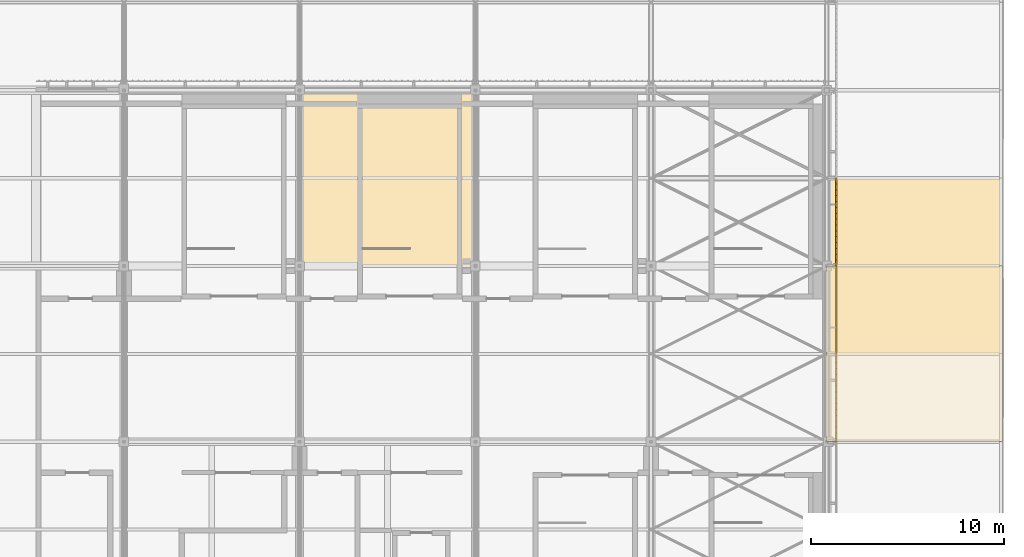
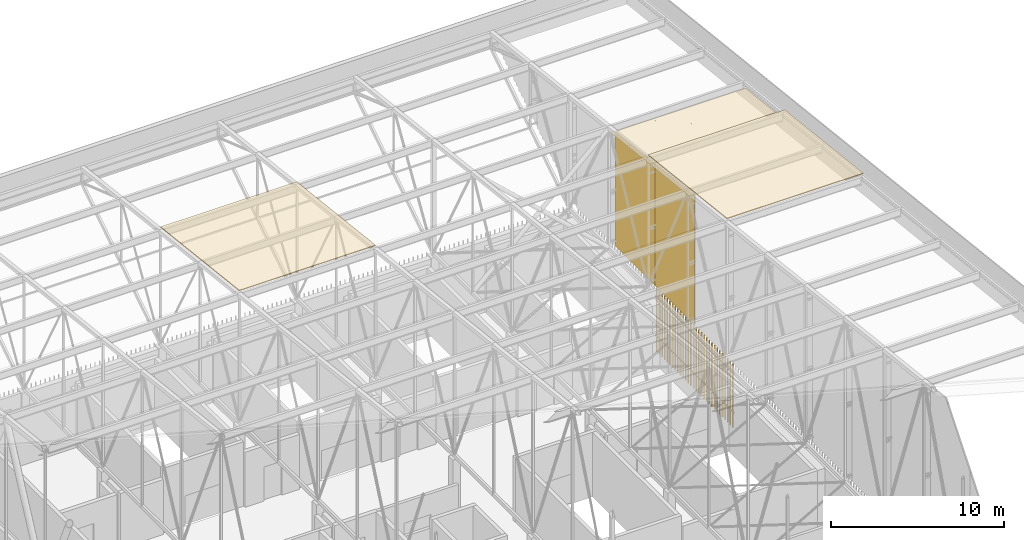
# One storey, part 496 of 500: 4 coverings, 3 shading devices.
"""IFC4 building model written with IfcOpenShell, lengths in metres."""

from ifc_helpers import new_model, si_unit, direction, frame, origin, origin_2d, place, context, subcontext, project, spatial, polyline, rectangle, outline, extrude, material, layer, layer_set, type_object, element, save


model = new_model("IFC4")

# Units and contexts
model_context = context("Model", 3, precision=1e-05, world=origin(), true_north=direction((0.0, 1.0)))
body_context = subcontext(model_context, "Body", "Model", "MODEL_VIEW")
ifc_project = project(units=[si_unit("LENGTHUNIT", "METRE"), si_unit("AREAUNIT", "SQUARE_METRE"), si_unit("VOLUMEUNIT", "CUBIC_METRE"), si_unit("PLANEANGLEUNIT", "RADIAN"), si_unit("MASSUNIT", "GRAM", prefix="KILO")], contexts=[model_context])

# Site, building, storey
site_placement = place(None, origin())
site = spatial("IfcSite", under=ifc_project, at=site_placement, CompositionType="ELEMENT")
building_placement = place(site_placement, origin())
building = spatial("IfcBuilding", under=site, at=building_placement, Name="Shirokan Park Arena", CompositionType="ELEMENT")
storey_placement = place(building_placement, frame((0.0, 0.0, 29.1201171875)))
storey = spatial("IfcBuildingStorey", under=building, at=storey_placement, Name="L06", CompositionType="ELEMENT", Elevation=29.1201171875)

# Coverings
ifc_material_1 = material(Name="Bituminous roofing membrane")
ifc_layer_1 = layer(ifc_material_1, 0.010009765625, Name="Bituminous roofing membrane")
ifc_material_2 = material(Name="Mineral wool insulation")
ifc_layer_2 = layer(ifc_material_2, 0.050048828125, Name="Mineral wool insulation")
ifc_layer_set_1 = layer_set([ifc_layer_1, ifc_layer_2], Name="Bituminous roofing membrane + Mineral wool insulation")
covering_type_1 = type_object("IfcCoveringType", Name="Roofing membrane 60", PredefinedType="ROOFING", material=ifc_layer_set_1)
covering_1_placement = place(storey_placement, frame((118.300048828125, 100.10009765625, 13.970703125), z_axis=(0.0, 0.113552605302, 0.993531985308), x_axis=(1.0, 0.0, 0.0)))
element("IfcCovering", 1, at=covering_1_placement, inside=storey, type_object=covering_type_1, Name="Roofing", PredefinedType="ROOFING", context=body_context, shape_type="SweptSolid", body=[
    extrude(outline(polyline([(0.0, 0.0), (9.099853515625, 0.0), (9.099853515625, 9.159094674549365), (0.0, 9.159094674549365), (0.0, 0.0)])), origin(), (0.0, 0.0, -1.0), 0.06005859375),
])
covering_2_placement = place(storey_placement, frame((145.60009765625, 91.0, 15.0107421875), z_axis=(0.0, 0.113549598152, 0.993532328996), x_axis=(1.0, 0.0, 0.0)))
element("IfcCovering", 2, at=covering_2_placement, inside=storey, type_object=covering_type_1, Name="Roofing", PredefinedType="ROOFING", context=body_context, shape_type="SweptSolid", body=[
    extrude(outline(polyline([(0.0, 0.0), (9.099853515625, 0.0), (9.099853515625, 9.15933723611117), (0.0, 9.15933723611117), (0.0, 0.0)])), origin(), (0.0, 0.0, -1.0), 0.06005859375),
])
ifc_material_3 = material(Name="Timber soffit boards (cedar)", Category="wood")
ifc_layer_3 = layer(ifc_material_3, 0.030029296875)
ifc_layer_set_2 = layer_set([ifc_layer_3], Name="Timber soffit boards (cedar) 30 mm")
covering_type_2 = type_object("IfcCoveringType", Name="Timber boarded soffit panel", PredefinedType="CLADDING", material=ifc_layer_set_2)
covering_3_placement = place(storey_placement, origin())
element("IfcCovering", 3, at=covering_3_placement, inside=storey, type_object=covering_type_2, Name="Rake soffit east bay 24", PredefinedType="CLADDING", context=body_context, shape_type="SweptSolid", body=[
    extrude(outline(polyline([(0.0, 0.0), (0.12000000000000455, 0.0), (0.12000000000000455, -4.579617887990218), (0.0, -4.579617887990218), (0.0, 0.0)])), frame((145.846923828125, 95.550048828125, 13.781982421875), z_axis=(0.0, 0.113546591161, 0.993532672656), x_axis=(-1.0, 0.0, 0.0)), (0.0, 0.0, -1.0), 0.030029296875),
    extrude(outline(polyline([(0.0, 0.0), (0.11999999999997613, 0.0), (0.11999999999997613, -4.579617887990217), (0.0, -4.579617887990217), (0.0, 0.0)])), frame((154.580078125, 100.10009765625, 13.261962890625), z_axis=(0.0, 0.113546591161, 0.993532672656), x_axis=(1.0, 0.0, 0.0)), (0.0, 0.0, -1.0), 0.030029296875),
    extrude(outline(polyline([(0.0, 0.0), (0.12078064455862857, 0.0), (0.12078064455862857, -8.733000000000006), (0.0, -8.733000000000006), (0.0, 0.0)])), frame((154.580078125, 100.10009765625, 13.261962890625), z_axis=(0.0, 0.11351156512, 0.993536675007), x_axis=(0.0, -0.993536675007, 0.11351156512)), (0.0, 0.0, -1.0), 0.030029296875),
    extrude(outline(polyline([(0.0, 0.0), (0.12078064455864268, 0.0), (0.12078064455864268, -8.733000000000006), (0.0, -8.733000000000006), (0.0, 0.0)])), frame((145.846923828125, 95.550048828125, 13.781982421875), z_axis=(0.0, 0.11351156512, 0.993536675007), x_axis=(0.0, 0.993536675007, -0.11351156512)), (0.0, 0.0, -1.0), 0.030029296875),
    extrude(outline(polyline([(0.0, 0.0), (8.733000000000004, 0.0), (8.733000000000004, -0.18452428160000803), (0.0, -0.18452428160000803), (0.0, 0.0)])), frame((154.580078125, 95.669921875, 13.76806640625), z_axis=(0.0, 0.113589386818, 0.99352778079), x_axis=(-1.0, 0.0, 0.0)), (0.0, 0.0, -1.0), 0.030029296875),
    extrude(outline(polyline([(0.0, 0.0), (8.733000000000004, 0.0), (8.733000000000004, -0.3053137258624375), (0.0, -0.3053137258624375), (0.0, 0.0)])), frame((154.580078125, 95.853271484375, 13.747314453125), z_axis=(0.0, 0.113522573877, 0.993535417195), x_axis=(-1.0, 0.0, 0.0)), (0.0, 0.0, -1.0), 0.030029296875),
    extrude(outline(polyline([(0.0, 0.0), (8.733000000000004, 0.0), (8.733000000000004, -0.30530492593470027), (0.0, -0.30530492593470027), (0.0, 0.0)])), frame((154.580078125, 96.15673828125, 13.712646484375), z_axis=(0.0, 0.113558600124, 0.99353130013), x_axis=(-1.0, 0.0, 0.0)), (0.0, 0.0, -1.0), 0.030029296875),
    extrude(outline(polyline([(0.0, 0.0), (8.733000000000004, 0.0), (8.733000000000004, -0.30530492593471437), (0.0, -0.30530492593471437), (0.0, 0.0)])), frame((154.580078125, 96.4599609375, 13.677978515625), z_axis=(0.0, 0.113558600124, 0.99353130013), x_axis=(-1.0, 0.0, 0.0)), (0.0, 0.0, -1.0), 0.030029296875),
    extrude(outline(polyline([(0.0, 0.0), (8.733000000000004, 0.0), (8.733000000000004, -0.3053137258624375), (0.0, -0.3053137258624375), (0.0, 0.0)])), frame((154.580078125, 96.763427734375, 13.643310546875), z_axis=(0.0, 0.113522573877, 0.993535417195), x_axis=(-1.0, 0.0, 0.0)), (0.0, 0.0, -1.0), 0.030029296875),
    extrude(outline(polyline([(0.0, 0.0), (8.733000000000004, 0.0), (8.733000000000004, -0.30530492593471437), (0.0, -0.30530492593471437), (0.0, 0.0)])), frame((154.580078125, 97.066650390625, 13.608642578125), z_axis=(0.0, 0.113558600124, 0.99353130013), x_axis=(-1.0, 0.0, 0.0)), (0.0, 0.0, -1.0), 0.030029296875),
    extrude(outline(polyline([(0.0, 0.0), (8.733000000000004, 0.0), (8.733000000000004, -0.30530492593471514), (0.0, -0.30530492593471514), (0.0, 0.0)])), frame((154.580078125, 97.3701171875, 13.573974609375), z_axis=(0.0, 0.113558600124, 0.99353130013), x_axis=(-1.0, 0.0, 0.0)), (0.0, 0.0, -1.0), 0.030029296875),
    extrude(outline(polyline([(0.0, 0.0), (8.733000000000004, 0.0), (8.733000000000004, -0.30531372586242256), (0.0, -0.30531372586242256), (0.0, 0.0)])), frame((154.580078125, 97.67333984375, 13.539306640625), z_axis=(0.0, 0.113522573877, 0.993535417195), x_axis=(-1.0, 0.0, 0.0)), (0.0, 0.0, -1.0), 0.030029296875),
    extrude(outline(polyline([(0.0, 0.0), (8.733000000000004, 0.0), (8.733000000000004, -0.30530492593471437), (0.0, -0.30530492593471437), (0.0, 0.0)])), frame((154.580078125, 97.9765625, 13.504638671875), z_axis=(0.0, 0.113558600124, 0.99353130013), x_axis=(-1.0, 0.0, 0.0)), (0.0, 0.0, -1.0), 0.030029296875),
    extrude(outline(polyline([(0.0, 0.0), (8.733000000000004, 0.0), (8.733000000000004, -0.3053049259347152), (0.0, -0.3053049259347152), (0.0, 0.0)])), frame((154.580078125, 98.280029296875, 13.469970703125), z_axis=(0.0, 0.113558600124, 0.99353130013), x_axis=(-1.0, 0.0, 0.0)), (0.0, 0.0, -1.0), 0.030029296875),
    extrude(outline(polyline([(0.0, 0.0), (8.733000000000004, 0.0), (8.733000000000004, -0.30531372586242256), (0.0, -0.30531372586242256), (0.0, 0.0)])), frame((154.580078125, 98.583251953125, 13.435302734375), z_axis=(0.0, 0.113522573877, 0.993535417195), x_axis=(-1.0, 0.0, 0.0)), (0.0, 0.0, -1.0), 0.030029296875),
    extrude(outline(polyline([(0.0, 0.0), (8.733000000000004, 0.0), (8.733000000000004, -0.30530492593471514), (0.0, -0.30530492593471514), (0.0, 0.0)])), frame((154.580078125, 98.88671875, 13.400634765625), z_axis=(0.0, 0.113558600124, 0.99353130013), x_axis=(-1.0, 0.0, 0.0)), (0.0, 0.0, -1.0), 0.030029296875),
    extrude(outline(polyline([(0.0, 0.0), (8.733000000000004, 0.0), (8.733000000000004, -0.30530492593471437), (0.0, -0.30530492593471437), (0.0, 0.0)])), frame((154.580078125, 99.18994140625, 13.365966796875), z_axis=(0.0, 0.113558600124, 0.99353130013), x_axis=(-1.0, 0.0, 0.0)), (0.0, 0.0, -1.0), 0.030029296875),
    extrude(outline(polyline([(0.0, 0.0), (8.733000000000004, 0.0), (8.733000000000004, -0.30531372586243666), (0.0, -0.30531372586243666), (0.0, 0.0)])), frame((154.580078125, 99.493408203125, 13.331298828125), z_axis=(0.0, 0.113522573877, 0.993535417195), x_axis=(-1.0, 0.0, 0.0)), (0.0, 0.0, -1.0), 0.030029296875),
    extrude(outline(polyline([(0.0, 0.0), (0.18452428160000886, 0.0), (0.18452428160000886, -8.733000000000004), (0.0, -8.733000000000004), (0.0, 0.0)])), frame((154.580078125, 99.97998046875, 13.275634765625), z_axis=(0.0, 0.113589386818, 0.99352778079), x_axis=(0.0, -0.99352778079, 0.113589386818)), (0.0, 0.0, -1.0), 0.030029296875),
])
covering_4_placement = place(storey_placement, origin())
element("IfcCovering", 4, at=covering_4_placement, inside=storey, type_object=covering_type_2, Name="Rake soffit east bay 25", PredefinedType="CLADDING", context=body_context, shape_type="SweptSolid", body=[
    extrude(outline(polyline([(0.0, 0.0), (0.12000000000000455, 0.0), (0.12000000000000455, -4.579617887990231), (0.0, -4.579617887990231), (0.0, 0.0)])), frame((145.846923828125, 100.10009765625, 13.261962890625), z_axis=(0.0, 0.113546591161, 0.993532672656), x_axis=(-1.0, 0.0, 0.0)), (0.0, 0.0, -1.0), 0.030029296875),
    extrude(outline(polyline([(0.0, 0.0), (0.11999999999997613, 0.0), (0.11999999999997613, -4.5796178879902305), (0.0, -4.5796178879902305), (0.0, 0.0)])), frame((154.580078125, 104.64990234375, 12.741943359375), z_axis=(0.0, 0.113546591161, 0.993532672656), x_axis=(1.0, 0.0, 0.0)), (0.0, 0.0, -1.0), 0.030029296875),
    extrude(outline(polyline([(0.0, 0.0), (0.12078064455864188, 0.0), (0.12078064455864188, -8.733000000000004), (0.0, -8.733000000000004), (0.0, 0.0)])), frame((154.580078125, 104.64990234375, 12.741943359375), z_axis=(0.0, 0.11351156512, 0.993536675007), x_axis=(0.0, -0.993536675007, 0.11351156512)), (0.0, 0.0, -1.0), 0.030029296875),
    extrude(outline(polyline([(0.0, 0.0), (0.12078064455864188, 0.0), (0.12078064455864188, -8.733000000000004), (0.0, -8.733000000000004), (0.0, 0.0)])), frame((145.846923828125, 100.10009765625, 13.261962890625), z_axis=(0.0, 0.11351156512, 0.993536675007), x_axis=(0.0, 0.993536675007, -0.11351156512)), (0.0, 0.0, -1.0), 0.030029296875),
    extrude(outline(polyline([(0.0, 0.0), (8.733000000000004, 0.0), (8.733000000000004, -0.18452428160000886), (0.0, -0.18452428160000886), (0.0, 0.0)])), frame((154.580078125, 100.219970703125, 13.248291015625), z_axis=(0.0, 0.113589386818, 0.99352778079), x_axis=(-1.0, 0.0, 0.0)), (0.0, 0.0, -1.0), 0.030029296875),
    extrude(outline(polyline([(0.0, 0.0), (8.733000000000004, 0.0), (8.733000000000004, -0.3053137258624375), (0.0, -0.3053137258624375), (0.0, 0.0)])), frame((154.580078125, 100.4033203125, 13.227294921875), z_axis=(0.0, 0.113522573877, 0.993535417195), x_axis=(-1.0, 0.0, 0.0)), (0.0, 0.0, -1.0), 0.030029296875),
    extrude(outline(polyline([(0.0, 0.0), (8.733000000000004, 0.0), (8.733000000000004, -0.30530492593471437), (0.0, -0.30530492593471437), (0.0, 0.0)])), frame((154.580078125, 100.706787109375, 13.192626953125), z_axis=(0.0, 0.113558600124, 0.99353130013), x_axis=(-1.0, 0.0, 0.0)), (0.0, 0.0, -1.0), 0.030029296875),
    extrude(outline(polyline([(0.0, 0.0), (8.733000000000004, 0.0), (8.733000000000004, -0.3053049259347002), (0.0, -0.3053049259347002), (0.0, 0.0)])), frame((154.580078125, 101.010009765625, 13.157958984375), z_axis=(0.0, 0.113558600124, 0.99353130013), x_axis=(-1.0, 0.0, 0.0)), (0.0, 0.0, -1.0), 0.030029296875),
    extrude(outline(polyline([(0.0, 0.0), (8.733000000000004, 0.0), (8.733000000000004, -0.3053137258624375), (0.0, -0.3053137258624375), (0.0, 0.0)])), frame((154.580078125, 101.313232421875, 13.123291015625), z_axis=(0.0, 0.113522573877, 0.993535417195), x_axis=(-1.0, 0.0, 0.0)), (0.0, 0.0, -1.0), 0.030029296875),
    extrude(outline(polyline([(0.0, 0.0), (8.733000000000004, 0.0), (8.733000000000004, -0.30530492593471437), (0.0, -0.30530492593471437), (0.0, 0.0)])), frame((154.580078125, 101.61669921875, 13.088623046875), z_axis=(0.0, 0.113558600124, 0.99353130013), x_axis=(-1.0, 0.0, 0.0)), (0.0, 0.0, -1.0), 0.030029296875),
    extrude(outline(polyline([(0.0, 0.0), (8.733000000000004, 0.0), (8.733000000000004, -0.30530492593471437), (0.0, -0.30530492593471437), (0.0, 0.0)])), frame((154.580078125, 101.919921875, 13.053955078125), z_axis=(0.0, 0.113558600124, 0.99353130013), x_axis=(-1.0, 0.0, 0.0)), (0.0, 0.0, -1.0), 0.030029296875),
    extrude(outline(polyline([(0.0, 0.0), (8.733000000000004, 0.0), (8.733000000000004, -0.3053137258624234), (0.0, -0.3053137258624234), (0.0, 0.0)])), frame((154.580078125, 102.223388671875, 13.019287109375), z_axis=(0.0, 0.113522573877, 0.993535417195), x_axis=(-1.0, 0.0, 0.0)), (0.0, 0.0, -1.0), 0.030029296875),
    extrude(outline(polyline([(0.0, 0.0), (8.733000000000004, 0.0), (8.733000000000004, -0.30530492593471437), (0.0, -0.30530492593471437), (0.0, 0.0)])), frame((154.580078125, 102.526611328125, 12.984619140625), z_axis=(0.0, 0.113558600124, 0.99353130013), x_axis=(-1.0, 0.0, 0.0)), (0.0, 0.0, -1.0), 0.030029296875),
    extrude(outline(polyline([(0.0, 0.0), (8.733000000000004, 0.0), (8.733000000000004, -0.30530492593471437), (0.0, -0.30530492593471437), (0.0, 0.0)])), frame((154.580078125, 102.830078125, 12.949951171875), z_axis=(0.0, 0.113558600124, 0.99353130013), x_axis=(-1.0, 0.0, 0.0)), (0.0, 0.0, -1.0), 0.030029296875),
    extrude(outline(polyline([(0.0, 0.0), (8.733000000000004, 0.0), (8.733000000000004, -0.3053137258624375), (0.0, -0.3053137258624375), (0.0, 0.0)])), frame((154.580078125, 103.13330078125, 12.915283203125), z_axis=(0.0, 0.113522573877, 0.993535417195), x_axis=(-1.0, 0.0, 0.0)), (0.0, 0.0, -1.0), 0.030029296875),
    extrude(outline(polyline([(0.0, 0.0), (8.733000000000004, 0.0), (8.733000000000004, -0.3053049259347002), (0.0, -0.3053049259347002), (0.0, 0.0)])), frame((154.580078125, 103.436767578125, 12.880615234375), z_axis=(0.0, 0.113558600124, 0.99353130013), x_axis=(-1.0, 0.0, 0.0)), (0.0, 0.0, -1.0), 0.030029296875),
    extrude(outline(polyline([(0.0, 0.0), (8.733000000000004, 0.0), (8.733000000000004, -0.30530492593471437), (0.0, -0.30530492593471437), (0.0, 0.0)])), frame((154.580078125, 103.739990234375, 12.845947265625), z_axis=(0.0, 0.113558600124, 0.99353130013), x_axis=(-1.0, 0.0, 0.0)), (0.0, 0.0, -1.0), 0.030029296875),
    extrude(outline(polyline([(0.0, 0.0), (8.733000000000004, 0.0), (8.733000000000004, -0.3053137258624375), (0.0, -0.3053137258624375), (0.0, 0.0)])), frame((154.580078125, 104.043212890625, 12.811279296875), z_axis=(0.0, 0.113522573877, 0.993535417195), x_axis=(-1.0, 0.0, 0.0)), (0.0, 0.0, -1.0), 0.030029296875),
    extrude(outline(polyline([(0.0, 0.0), (0.18452428160000886, 0.0), (0.18452428160000886, -8.733000000000004), (0.0, -8.733000000000004), (0.0, 0.0)])), frame((154.580078125, 104.530029296875, 12.755615234375), z_axis=(0.0, 0.113589386818, 0.99352778079), x_axis=(0.0, -0.99352778079, 0.113589386818)), (0.0, 0.0, -1.0), 0.030029296875),
])

# Shading devices
ifc_material_4 = material(Name="Timber louvre veil (cedar)", Category="wood")
shading_device_type_1 = type_object("IfcShadingDeviceType", Name="Timber louvre veil panel", PredefinedType="JALOUSIE", material=ifc_material_4)
shading_device_1_placement = place(storey_placement, origin())
element("IfcShadingDevice", 5, at=shading_device_1_placement, inside=storey, type_object=shading_device_type_1, Name="Timber louvre veil east bay 11 L06", PredefinedType="JALOUSIE", context=body_context, shape_type="SweptSolid", body=[
    extrude(rectangle(XDim=0.050048828125, YDim=0.080078125, at=origin_2d()), frame((146.0849609375, 91.151611328125, 0.0), z_axis=(0.0, 0.0, 1.0), x_axis=(0.0, 1.0, 0.0)), (0.0, 0.0, 1.0), 4.5),
    extrude(rectangle(XDim=0.050048828125, YDim=0.080078125, at=origin_2d()), frame((146.0849609375, 91.455078125, 0.0), z_axis=(0.0, 0.0, 1.0), x_axis=(0.0, 1.0, 0.0)), (0.0, 0.0, 1.0), 4.5),
    extrude(rectangle(XDim=0.050048828125, YDim=0.080078125, at=origin_2d()), frame((146.0849609375, 91.75830078125, 0.0), z_axis=(0.0, 0.0, 1.0), x_axis=(0.0, 1.0, 0.0)), (0.0, 0.0, 1.0), 4.5),
    extrude(rectangle(XDim=0.050048828125, YDim=0.080078125, at=origin_2d()), frame((146.0849609375, 92.061767578125, 0.0), z_axis=(0.0, 0.0, 1.0), x_axis=(0.0, 1.0, 0.0)), (0.0, 0.0, 1.0), 4.5),
    extrude(rectangle(XDim=0.050048828125, YDim=0.080078125, at=origin_2d()), frame((146.0849609375, 92.364990234375, 0.0), z_axis=(0.0, 0.0, 1.0), x_axis=(0.0, 1.0, 0.0)), (0.0, 0.0, 1.0), 4.5),
    extrude(rectangle(XDim=0.050048828125, YDim=0.080078125, at=origin_2d()), frame((146.0849609375, 92.668212890625, 0.0), z_axis=(0.0, 0.0, 1.0), x_axis=(0.0, 1.0, 0.0)), (0.0, 0.0, 1.0), 4.5),
    extrude(rectangle(XDim=0.050048828125, YDim=0.080078125, at=origin_2d()), frame((146.0849609375, 92.9716796875, 0.0), z_axis=(0.0, 0.0, 1.0), x_axis=(0.0, 1.0, 0.0)), (0.0, 0.0, 1.0), 4.5),
    extrude(rectangle(XDim=0.050048828125, YDim=0.080078125, at=origin_2d()), frame((146.0849609375, 93.27490234375, 0.0), z_axis=(0.0, 0.0, 1.0), x_axis=(0.0, 1.0, 0.0)), (0.0, 0.0, 1.0), 4.5),
    extrude(rectangle(XDim=0.050048828125, YDim=0.080078125, at=origin_2d()), frame((146.0849609375, 93.578369140625, 0.0), z_axis=(0.0, 0.0, 1.0), x_axis=(0.0, 1.0, 0.0)), (0.0, 0.0, 1.0), 4.5),
    extrude(rectangle(XDim=0.050048828125, YDim=0.080078125, at=origin_2d()), frame((146.0849609375, 93.881591796875, 0.0), z_axis=(0.0, 0.0, 1.0), x_axis=(0.0, 1.0, 0.0)), (0.0, 0.0, 1.0), 4.5),
    extrude(rectangle(XDim=0.050048828125, YDim=0.080078125, at=origin_2d()), frame((146.0849609375, 94.18505859375, 0.0), z_axis=(0.0, 0.0, 1.0), x_axis=(0.0, 1.0, 0.0)), (0.0, 0.0, 1.0), 4.5),
    extrude(rectangle(XDim=0.050048828125, YDim=0.080078125, at=origin_2d()), frame((146.0849609375, 94.48828125, 0.0), z_axis=(0.0, 0.0, 1.0), x_axis=(0.0, 1.0, 0.0)), (0.0, 0.0, 1.0), 4.5),
    extrude(rectangle(XDim=0.050048828125, YDim=0.080078125, at=origin_2d()), frame((146.0849609375, 94.791748046875, 0.0), z_axis=(0.0, 0.0, 1.0), x_axis=(0.0, 1.0, 0.0)), (0.0, 0.0, 1.0), 4.5),
    extrude(rectangle(XDim=0.050048828125, YDim=0.080078125, at=origin_2d()), frame((146.0849609375, 95.094970703125, 0.0), z_axis=(0.0, 0.0, 1.0), x_axis=(0.0, 1.0, 0.0)), (0.0, 0.0, 1.0), 4.5),
    extrude(rectangle(XDim=0.050048828125, YDim=0.080078125, at=origin_2d()), frame((146.0849609375, 95.3984375, 0.0), z_axis=(0.0, 0.0, 1.0), x_axis=(0.0, 1.0, 0.0)), (0.0, 0.0, 1.0), 4.5),
    extrude(rectangle(XDim=0.050048828125, YDim=0.080078125, at=origin_2d()), frame((146.0849609375, 95.70166015625, 0.0), z_axis=(0.0, 0.0, 1.0), x_axis=(0.0, 1.0, 0.0)), (0.0, 0.0, 1.0), 4.5),
    extrude(rectangle(XDim=0.050048828125, YDim=0.080078125, at=origin_2d()), frame((146.0849609375, 96.0048828125, 0.0), z_axis=(0.0, 0.0, 1.0), x_axis=(0.0, 1.0, 0.0)), (0.0, 0.0, 1.0), 4.5),
    extrude(rectangle(XDim=0.050048828125, YDim=0.080078125, at=origin_2d()), frame((146.0849609375, 96.308349609375, 0.0), z_axis=(0.0, 0.0, 1.0), x_axis=(0.0, 1.0, 0.0)), (0.0, 0.0, 1.0), 4.5),
    extrude(rectangle(XDim=0.050048828125, YDim=0.080078125, at=origin_2d()), frame((146.0849609375, 96.611572265625, 0.0), z_axis=(0.0, 0.0, 1.0), x_axis=(0.0, 1.0, 0.0)), (0.0, 0.0, 1.0), 4.5),
    extrude(rectangle(XDim=0.050048828125, YDim=0.080078125, at=origin_2d()), frame((146.0849609375, 96.9150390625, 0.0), z_axis=(0.0, 0.0, 1.0), x_axis=(0.0, 1.0, 0.0)), (0.0, 0.0, 1.0), 4.5),
    extrude(rectangle(XDim=0.050048828125, YDim=0.080078125, at=origin_2d()), frame((146.0849609375, 97.21826171875, 0.0), z_axis=(0.0, 0.0, 1.0), x_axis=(0.0, 1.0, 0.0)), (0.0, 0.0, 1.0), 4.5),
    extrude(rectangle(XDim=0.050048828125, YDim=0.080078125, at=origin_2d()), frame((146.0849609375, 97.521728515625, 0.0), z_axis=(0.0, 0.0, 1.0), x_axis=(0.0, 1.0, 0.0)), (0.0, 0.0, 1.0), 4.5),
    extrude(rectangle(XDim=0.050048828125, YDim=0.080078125, at=origin_2d()), frame((146.0849609375, 97.824951171875, 0.0), z_axis=(0.0, 0.0, 1.0), x_axis=(0.0, 1.0, 0.0)), (0.0, 0.0, 1.0), 4.5),
    extrude(rectangle(XDim=0.050048828125, YDim=0.080078125, at=origin_2d()), frame((146.0849609375, 98.12841796875, 0.0), z_axis=(0.0, 0.0, 1.0), x_axis=(0.0, 1.0, 0.0)), (0.0, 0.0, 1.0), 4.5),
    extrude(rectangle(XDim=0.050048828125, YDim=0.080078125, at=origin_2d()), frame((146.0849609375, 98.431640625, 0.0), z_axis=(0.0, 0.0, 1.0), x_axis=(0.0, 1.0, 0.0)), (0.0, 0.0, 1.0), 4.5),
    extrude(rectangle(XDim=0.050048828125, YDim=0.080078125, at=origin_2d()), frame((146.0849609375, 98.735107421875, 0.0), z_axis=(0.0, 0.0, 1.0), x_axis=(0.0, 1.0, 0.0)), (0.0, 0.0, 1.0), 4.5),
    extrude(rectangle(XDim=0.050048828125, YDim=0.080078125, at=origin_2d()), frame((146.0849609375, 99.038330078125, 0.0), z_axis=(0.0, 0.0, 1.0), x_axis=(0.0, 1.0, 0.0)), (0.0, 0.0, 1.0), 4.5),
    extrude(rectangle(XDim=0.050048828125, YDim=0.080078125, at=origin_2d()), frame((146.0849609375, 99.341552734375, 0.0), z_axis=(0.0, 0.0, 1.0), x_axis=(0.0, 1.0, 0.0)), (0.0, 0.0, 1.0), 4.5),
    extrude(rectangle(XDim=0.050048828125, YDim=0.080078125, at=origin_2d()), frame((146.0849609375, 99.64501953125, 0.0), z_axis=(0.0, 0.0, 1.0), x_axis=(0.0, 1.0, 0.0)), (0.0, 0.0, 1.0), 4.5),
    extrude(rectangle(XDim=0.050048828125, YDim=0.080078125, at=origin_2d()), frame((146.0849609375, 99.9482421875, 0.0), z_axis=(0.0, 0.0, 1.0), x_axis=(0.0, 1.0, 0.0)), (0.0, 0.0, 1.0), 4.5),
    extrude(rectangle(XDim=9.10009765625, YDim=0.050048828125, at=origin_2d()), frame((146.070068359375, 95.550048828125, 1.059814453125), z_axis=(0.0, 0.0, 1.0), x_axis=(0.0, 1.0, 0.0)), (0.0, 0.0, 1.0), 0.080078125),
    extrude(rectangle(XDim=9.10009765625, YDim=0.050048828125, at=origin_2d()), frame((146.070068359375, 95.550048828125, 3.809814453125), z_axis=(0.0, 0.0, 1.0), x_axis=(0.0, 1.0, 0.0)), (0.0, 0.0, 1.0), 0.080078125),
])
shading_device_type_2 = type_object("IfcShadingDeviceType", Name="Timber louvre veil panel, gable band, closed", PredefinedType="JALOUSIE", material=ifc_material_4)
shading_device_2_placement = place(storey_placement, origin())
element("IfcShadingDevice", 6, at=shading_device_2_placement, inside=storey, type_object=shading_device_type_2, Name="Timber louvre veil gable band east bay 24", PredefinedType="JALOUSIE", context=body_context, shape_type="SweptSolid", body=[
    extrude(outline(polyline([(100.10009765625, 4.575927734375), (100.10009765625, 13.23193359375), (99.796630859375, 13.23193359375), (99.796630859375, 13.2666015625), (99.493408203125, 13.2666015625), (99.493408203125, 13.30126953125), (99.18994140625, 13.30126953125), (99.18994140625, 13.3359375), (98.88671875, 13.3359375), (98.88671875, 13.37060546875), (98.583251953125, 13.37060546875), (98.583251953125, 13.4052734375), (98.280029296875, 13.4052734375), (98.280029296875, 13.43994140625), (97.9765625, 13.43994140625), (97.9765625, 13.474609375), (97.67333984375, 13.474609375), (97.67333984375, 13.50927734375), (97.3701171875, 13.50927734375), (97.3701171875, 13.5439453125), (97.066650390625, 13.5439453125), (97.066650390625, 13.57861328125), (96.763427734375, 13.57861328125), (96.763427734375, 13.61328125), (96.4599609375, 13.61328125), (96.4599609375, 13.64794921875), (96.15673828125, 13.64794921875), (96.15673828125, 13.6826171875), (95.853271484375, 13.6826171875), (95.853271484375, 13.71728515625), (95.550048828125, 13.71728515625), (95.550048828125, 4.575927734375), (100.10009765625, 4.575927734375)])), frame((146.044921875, 0.0, 0.0), z_axis=(1.0, 0.0, 0.0), x_axis=(0.0, 1.0, 0.0)), (0.0, 0.0, 1.0), 0.080078125),
    extrude(rectangle(XDim=0.050048828125, YDim=4.550048828125, at=origin_2d()), frame((146.070068359375, 97.824951171875, 4.98583984375), z_axis=(0.0, 0.0, 1.0), x_axis=(1.0, 0.0, 0.0)), (0.0, 0.0, 1.0), 0.080078125),
    extrude(rectangle(XDim=0.050048828125, YDim=4.550048828125, at=origin_2d()), frame((146.070068359375, 97.824951171875, 8.86376953125), z_axis=(0.0, 0.0, 1.0), x_axis=(1.0, 0.0, 0.0)), (0.0, 0.0, 1.0), 0.080078125),
    extrude(rectangle(XDim=0.050048828125, YDim=4.550048828125, at=origin_2d()), frame((146.070068359375, 97.824951171875, 13.091796875), z_axis=(0.0, 0.0, 1.0), x_axis=(1.0, 0.0, 0.0)), (0.0, 0.0, 1.0), 0.080078125),
])
shading_device_3_placement = place(storey_placement, origin())
element("IfcShadingDevice", 7, at=shading_device_3_placement, inside=storey, type_object=shading_device_type_2, Name="Timber louvre veil gable band east bay 25", PredefinedType="JALOUSIE", context=body_context, shape_type="SweptSolid", body=[
    extrude(outline(polyline([(104.64990234375, 4.575927734375), (104.64990234375, 12.7119140625), (104.3466796875, 12.7119140625), (104.3466796875, 12.74658203125), (104.043212890625, 12.74658203125), (104.043212890625, 12.78125), (103.739990234375, 12.78125), (103.739990234375, 12.81591796875), (103.436767578125, 12.81591796875), (103.436767578125, 12.8505859375), (103.13330078125, 12.8505859375), (103.13330078125, 12.88525390625), (102.830078125, 12.88525390625), (102.830078125, 12.919921875), (102.526611328125, 12.919921875), (102.526611328125, 12.95458984375), (102.223388671875, 12.95458984375), (102.223388671875, 12.9892578125), (101.919921875, 12.9892578125), (101.919921875, 13.02392578125), (101.61669921875, 13.02392578125), (101.61669921875, 13.05859375), (101.313232421875, 13.05859375), (101.313232421875, 13.09326171875), (101.010009765625, 13.09326171875), (101.010009765625, 13.1279296875), (100.706787109375, 13.1279296875), (100.706787109375, 13.16259765625), (100.4033203125, 13.16259765625), (100.4033203125, 13.197265625), (100.10009765625, 13.197265625), (100.10009765625, 4.575927734375), (104.64990234375, 4.575927734375)])), frame((146.044921875, 0.0, 0.0), z_axis=(1.0, 0.0, 0.0), x_axis=(0.0, 1.0, 0.0)), (0.0, 0.0, 1.0), 0.080078125),
    extrude(rectangle(XDim=0.050048828125, YDim=4.550048828125, at=origin_2d()), frame((146.070068359375, 102.375, 4.98583984375), z_axis=(0.0, 0.0, 1.0), x_axis=(1.0, 0.0, 0.0)), (0.0, 0.0, 1.0), 0.080078125),
    extrude(rectangle(XDim=0.050048828125, YDim=4.550048828125, at=origin_2d()), frame((146.070068359375, 102.375, 8.603759765625), z_axis=(0.0, 0.0, 1.0), x_axis=(1.0, 0.0, 0.0)), (0.0, 0.0, 1.0), 0.080078125),
    extrude(rectangle(XDim=0.050048828125, YDim=4.550048828125, at=origin_2d()), frame((146.070068359375, 102.375, 12.57177734375), z_axis=(0.0, 0.0, 1.0), x_axis=(1.0, 0.0, 0.0)), (0.0, 0.0, 1.0), 0.080078125),
])

save(model, "model.ifc")
